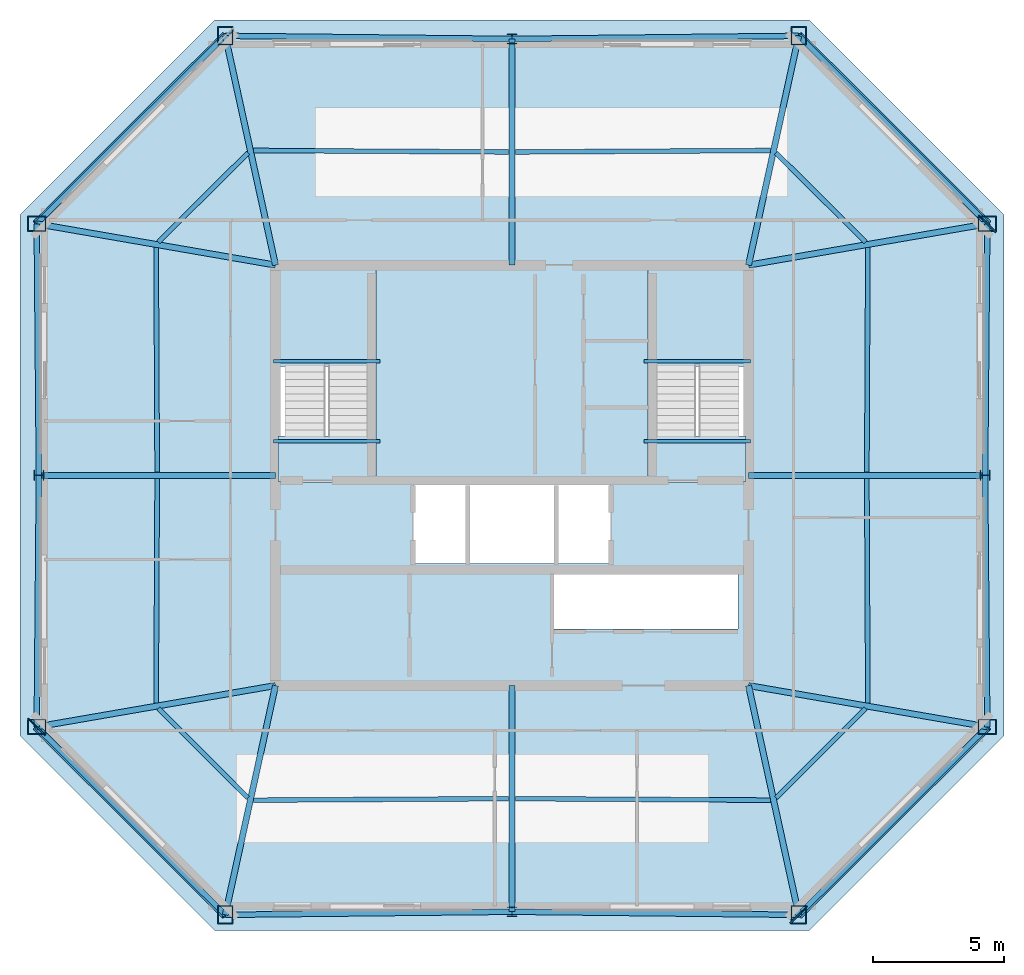
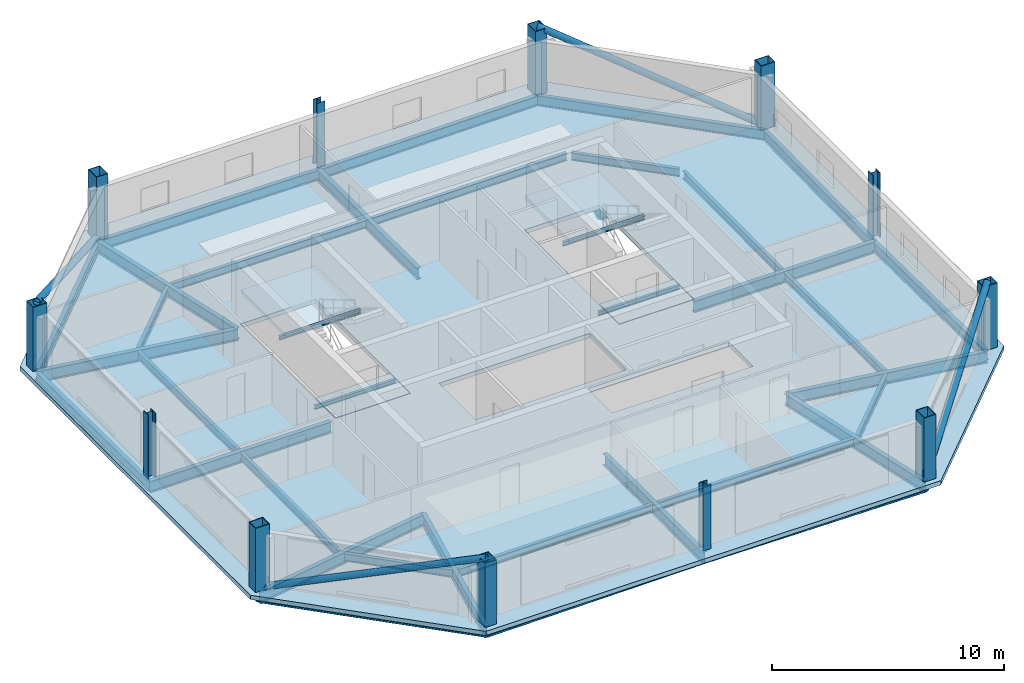
# One storey, part 1 of 6: 40 beams, 12 columns, 5 slabs, 4 members, 3 plates, 2 elements without a shape of their own.
"""IFC4 building model written with IfcOpenShell, lengths in metres."""

from ifc_helpers import new_model, si_unit, direction, frame, origin, origin_2d, place, context, subcontext, project, spatial, polyline, rectangle, hollow_rectangle, hollow_circle, i_section, outline, extrude, material, layer, layer_set, material_profile, profile_set, type_object, element, aggregate, save


model = new_model("IFC4")

# Units and contexts
model_context = context("Model", 3, precision=1e-05, world=origin(), true_north=direction((0.0, 1.0)))
body_context = subcontext(model_context, "Body", "Model", "MODEL_VIEW")
ifc_project = project(units=[si_unit("LENGTHUNIT", "METRE"), si_unit("AREAUNIT", "SQUARE_METRE"), si_unit("VOLUMEUNIT", "CUBIC_METRE"), si_unit("PLANEANGLEUNIT", "RADIAN"), si_unit("MASSUNIT", "GRAM", prefix="KILO")], contexts=[model_context])

# Site, building, storey
site_placement = place(None, origin())
site = spatial("IfcSite", under=ifc_project, at=site_placement, CompositionType="ELEMENT")
building_placement = place(site_placement, origin())
building = spatial("IfcBuilding", under=site, at=building_placement, Name="Caelvoria Tower", CompositionType="ELEMENT")
storey_placement = place(building_placement, frame((0.0, 0.0, 264.60009765625)))
storey = spatial("IfcBuildingStorey", under=building, at=storey_placement, Name="L70", CompositionType="ELEMENT", Elevation=264.60009765625)

# Columns
ifc_material_1 = material(Name="Structural Steel ASTM A572 Gr.50", Category="steel")
ifc_material_profile_1 = material_profile(ifc_material_1, hollow_rectangle(XDim=0.580078125, YDim=0.699951171875, WallThickness=0.031982421875, at=origin_2d()), Name="Structural Steel ASTM A572 Gr.50")
ifc_profile_set_1 = profile_set([ifc_material_profile_1], Name="BOX700X580X32 - Structural Steel ASTM A572 Gr.50")
column_type_1 = type_object("IfcColumnType", Name="Mega Box Column 700x580x32", PredefinedType="COLUMN", material=ifc_profile_set_1)
for number, where, z_axis, x_axis, name in (
    (1, (35.0888671875, 15.275634765625, 0.0), (0.0, 0.0, 1.0), (1.0, 0.0, 0.0), "Perimeter Megaframe Column L70-P00"),
    (2, (56.9111328125, 15.275634765625, 0.0), (0.0, 0.0, 1.0), (1.0, 0.0, 0.0), "Perimeter Megaframe Column L70-P02"),
    (3, (64.086181640625, 22.427734375, 0.0), (0.0, 0.0, 1.0), (0.0, 1.0, 0.0), "Perimeter Megaframe Column L70-P03"),
    (4, (64.086181640625, 41.572265625, 0.0), (0.0, 0.0, 1.0), (0.0, 1.0, 0.0), "Perimeter Megaframe Column L70-P05"),
    (5, (56.9111328125, 48.724365234375, 0.0), (0.0, 0.0, 1.0), (1.0, 0.0, 0.0), "Perimeter Megaframe Column L70-P06"),
    (6, (35.0888671875, 48.724365234375, 0.0), (0.0, 0.0, 1.0), (1.0, 0.0, 0.0), "Perimeter Megaframe Column L70-P08"),
    (7, (27.913818359375, 41.572265625, 0.0), (0.0, 0.0, 1.0), (0.0, 1.0, 0.0), "Perimeter Megaframe Column L70-P09"),
    (8, (27.913818359375, 22.427734375, 0.0), (0.0, 0.0, 1.0), (0.0, 1.0, 0.0), "Perimeter Megaframe Column L70-P11"),
):
    element("IfcColumn", number, at=place(storey_placement, frame(where, z_axis=z_axis, x_axis=x_axis)), inside=storey, type_object=column_type_1, Name=name, PredefinedType="COLUMN", context=body_context, shape_type="SweptSolid", body=[
        extrude(hollow_rectangle(XDim=0.580078125, YDim=0.699951171875, WallThickness=0.031982421875, at=origin_2d()), origin(), (0.0, 0.0, 1.0), 3.372802734375),
    ])
ifc_material_2 = material(Name="Structural Steel ASTM A992 Gr.50", Category="steel")
ifc_material_profile_2 = material_profile(ifc_material_2, i_section(OverallWidth=0.39501953125, OverallDepth=0.3798828125, WebThickness=0.018798828125, FlangeThickness=0.0302734375, FilletRadius=0.02490234375, at=origin_2d()), Name="Structural Steel ASTM A992 Gr.50")
ifc_profile_set_2 = profile_set([ifc_material_profile_2], Name="W360X237 - Structural Steel ASTM A992 Gr.50")
column_type_2 = type_object("IfcColumnType", Name="Summit Frame Column W360X237", PredefinedType="COLUMN", material=ifc_profile_set_2)
for number, where, z_axis, x_axis, name in (
    (9, (46.0, 15.392578125, 0.0), (0.0, 0.0, 1.0), (1.0, 0.0, 0.0), "Perimeter Megaframe Column L70-P01"),
    (10, (64.002685546875, 32.0, 0.0), (0.0, 0.0, 1.0), (0.0, 1.0, 0.0), "Perimeter Megaframe Column L70-P04"),
    (11, (46.0, 48.607421875, 0.0), (0.0, 0.0, 1.0), (1.0, 0.0, 0.0), "Perimeter Megaframe Column L70-P07"),
    (12, (27.997314453125, 32.0, 0.0), (0.0, 0.0, 1.0), (0.0, 1.0, 0.0), "Perimeter Megaframe Column L70-P10"),
):
    element("IfcColumn", number, at=place(storey_placement, frame(where, z_axis=z_axis, x_axis=x_axis)), inside=storey, type_object=column_type_2, Name=name, PredefinedType="COLUMN", context=body_context, shape_type="SweptSolid", body=[
        extrude(i_section(OverallWidth=0.39501953125, OverallDepth=0.3798828125, WebThickness=0.018798828125, FlangeThickness=0.0302734375, FilletRadius=0.02490234375, at=origin_2d()), origin(), (0.0, 0.0, 1.0), 3.372802734375),
    ])

# Beams
ifc_material_profile_3 = material_profile(ifc_material_2, i_section(OverallWidth=0.134033203125, OverallDepth=0.2099609375, WebThickness=0.00634765625, FlangeThickness=0.01025390625, FilletRadius=0.010009765625, at=origin_2d()), Name="Structural Steel ASTM A992 Gr.50")
ifc_profile_set_3 = profile_set([ifc_material_profile_3], Name="W200X31.3 - Structural Steel ASTM A992 Gr.50")
beam_type_1 = type_object("IfcBeamType", Name="Canopy Edge Trim Beam W200X31.3", PredefinedType="BEAM", material=ifc_profile_set_3)
for number, where, z_axis, x_axis, name in (
    (13, (36.929931640625, 36.35009765625, 1.494873046875), (1.0, 0.0, 0.0), (0.0, 1.0, 0.0), "ST-01 Half-Landing Support Beam L70"),
    (14, (36.929931640625, 33.300048828125, -0.30517578125), (1.0, 0.0, 0.0), (0.0, 1.0, 0.0), "ST-01 Floor-Landing Support Beam L70"),
    (15, (51.030029296875, 36.35009765625, 1.494873046875), (1.0, 0.0, 0.0), (0.0, 1.0, 0.0), "ST-02 Half-Landing Support Beam L70"),
    (16, (51.030029296875, 33.300048828125, -0.30517578125), (1.0, 0.0, 0.0), (0.0, 1.0, 0.0), "ST-02 Floor-Landing Support Beam L70"),
):
    element("IfcBeam", number, at=place(storey_placement, frame(where, z_axis=z_axis, x_axis=x_axis)), inside=storey, type_object=beam_type_1, Name=name, PredefinedType="BEAM", context=body_context, shape_type="SweptSolid", body=[
        extrude(i_section(OverallWidth=0.134033203125, OverallDepth=0.2099609375, WebThickness=0.00634765625, FlangeThickness=0.01025390625, FilletRadius=0.010009765625, at=origin_2d()), origin(), (0.0, 0.0, 1.0), 4.0400390625),
    ])
ifc_material_profile_4 = material_profile(ifc_material_2, i_section(OverallWidth=0.22802734375, OverallDepth=0.60302734375, WebThickness=0.010498046875, FlangeThickness=0.014892578125, FilletRadius=0.01806640625, at=origin_2d()), Name="Structural Steel ASTM A992 Gr.50")
ifc_profile_set_4 = profile_set([ifc_material_profile_4], Name="W610X101 - Structural Steel ASTM A992 Gr.50")
beam_type_2 = type_object("IfcBeamType", Name="Primary Floor Girder W610X101", PredefinedType="BEAM", material=ifc_profile_set_4)
beam_1_placement = place(storey_placement, frame((37.0, 24.0, -0.526611328125), z_axis=(-0.213983014438, -0.976837381314, 0.0), x_axis=(0.976837381314, -0.213983014438, 0.0)))
element("IfcBeam", 17, at=beam_1_placement, inside=storey, type_object=beam_type_2, Name="Primary Floor Girder L70-00", PredefinedType="BEAM", context=body_context, shape_type="SweptSolid", body=[
    extrude(i_section(OverallWidth=0.22802734375, OverallDepth=0.60302734375, WebThickness=0.010498046875, FlangeThickness=0.014892578125, FilletRadius=0.01806640625, at=origin_2d()), origin(), (0.0, 0.0, 1.0), 8.93115234375),
])
beam_2_placement = place(storey_placement, frame((46.0, 24.0, -0.526611328125), z_axis=(0.0, -1.0, 0.0), x_axis=(1.0, 0.0, 0.0)))
element("IfcBeam", 18, at=beam_2_placement, inside=storey, type_object=beam_type_2, Name="Primary Floor Girder L70-01", PredefinedType="BEAM", context=body_context, shape_type="SweptSolid", body=[
    extrude(i_section(OverallWidth=0.22802734375, OverallDepth=0.60302734375, WebThickness=0.010498046875, FlangeThickness=0.014892578125, FilletRadius=0.01806640625, at=origin_2d()), origin(), (0.0, 0.0, 1.0), 8.607421875),
])
beam_3_placement = place(storey_placement, frame((55.0, 24.0, -0.526611328125), z_axis=(0.213983014438, -0.976837381314, 0.0), x_axis=(0.976837381314, 0.213983014438, 0.0)))
element("IfcBeam", 19, at=beam_3_placement, inside=storey, type_object=beam_type_2, Name="Primary Floor Girder L70-02", PredefinedType="BEAM", context=body_context, shape_type="SweptSolid", body=[
    extrude(i_section(OverallWidth=0.22802734375, OverallDepth=0.60302734375, WebThickness=0.010498046875, FlangeThickness=0.014892578125, FilletRadius=0.01806640625, at=origin_2d()), origin(), (0.0, 0.0, 1.0), 8.93115234375),
])
beam_4_placement = place(storey_placement, frame((55.0, 24.0, -0.526611328125), z_axis=(0.985356751055, -0.170505346395, 0.0), x_axis=(0.170505346395, 0.985356751055, 0.0)))
element("IfcBeam", 20, at=beam_4_placement, inside=storey, type_object=beam_type_2, Name="Primary Floor Girder L70-03", PredefinedType="BEAM", context=body_context, shape_type="SweptSolid", body=[
    extrude(i_section(OverallWidth=0.22802734375, OverallDepth=0.60302734375, WebThickness=0.010498046875, FlangeThickness=0.014892578125, FilletRadius=0.01806640625, at=origin_2d()), origin(), (0.0, 0.0, 1.0), 9.22119140625),
])
beam_5_placement = place(storey_placement, frame((55.0, 32.0, -0.526611328125), z_axis=(1.0, 0.0, 0.0), x_axis=(0.0, 1.0, 0.0)))
element("IfcBeam", 21, at=beam_5_placement, inside=storey, type_object=beam_type_2, Name="Primary Floor Girder L70-04", PredefinedType="BEAM", context=body_context, shape_type="SweptSolid", body=[
    extrude(i_section(OverallWidth=0.22802734375, OverallDepth=0.60302734375, WebThickness=0.010498046875, FlangeThickness=0.014892578125, FilletRadius=0.01806640625, at=origin_2d()), origin(), (0.0, 0.0, 1.0), 9.002685546875),
])
beam_6_placement = place(storey_placement, frame((55.0, 40.0, -0.526611328125), z_axis=(0.985356751055, 0.170505346395, 0.0), x_axis=(-0.170505346395, 0.985356751055, 0.0)))
element("IfcBeam", 22, at=beam_6_placement, inside=storey, type_object=beam_type_2, Name="Primary Floor Girder L70-05", PredefinedType="BEAM", context=body_context, shape_type="SweptSolid", body=[
    extrude(i_section(OverallWidth=0.22802734375, OverallDepth=0.60302734375, WebThickness=0.010498046875, FlangeThickness=0.014892578125, FilletRadius=0.01806640625, at=origin_2d()), origin(), (0.0, 0.0, 1.0), 9.22119140625),
])
beam_7_placement = place(storey_placement, frame((55.0, 40.0, -0.526611328125), z_axis=(0.213983014438, 0.976837381314, 0.0), x_axis=(-0.976837381314, 0.213983014438, 0.0)))
element("IfcBeam", 23, at=beam_7_placement, inside=storey, type_object=beam_type_2, Name="Primary Floor Girder L70-06", PredefinedType="BEAM", context=body_context, shape_type="SweptSolid", body=[
    extrude(i_section(OverallWidth=0.22802734375, OverallDepth=0.60302734375, WebThickness=0.010498046875, FlangeThickness=0.014892578125, FilletRadius=0.01806640625, at=origin_2d()), origin(), (0.0, 0.0, 1.0), 8.93115234375),
])
beam_8_placement = place(storey_placement, frame((46.0, 40.0, -0.526611328125), z_axis=(0.0, 1.0, 0.0), x_axis=(-1.0, 0.0, 0.0)))
element("IfcBeam", 24, at=beam_8_placement, inside=storey, type_object=beam_type_2, Name="Primary Floor Girder L70-07", PredefinedType="BEAM", context=body_context, shape_type="SweptSolid", body=[
    extrude(i_section(OverallWidth=0.22802734375, OverallDepth=0.60302734375, WebThickness=0.010498046875, FlangeThickness=0.014892578125, FilletRadius=0.01806640625, at=origin_2d()), origin(), (0.0, 0.0, 1.0), 8.607421875),
])
beam_9_placement = place(storey_placement, frame((37.0, 40.0, -0.526611328125), z_axis=(-0.213983014438, 0.976837381314, 0.0), x_axis=(-0.976837381314, -0.213983014438, 0.0)))
element("IfcBeam", 25, at=beam_9_placement, inside=storey, type_object=beam_type_2, Name="Primary Floor Girder L70-08", PredefinedType="BEAM", context=body_context, shape_type="SweptSolid", body=[
    extrude(i_section(OverallWidth=0.22802734375, OverallDepth=0.60302734375, WebThickness=0.010498046875, FlangeThickness=0.014892578125, FilletRadius=0.01806640625, at=origin_2d()), origin(), (0.0, 0.0, 1.0), 8.93115234375),
])
beam_10_placement = place(storey_placement, frame((37.0, 40.0, -0.526611328125), z_axis=(-0.985356751055, 0.170505346395, 0.0), x_axis=(-0.170505346395, -0.985356751055, 0.0)))
element("IfcBeam", 26, at=beam_10_placement, inside=storey, type_object=beam_type_2, Name="Primary Floor Girder L70-09", PredefinedType="BEAM", context=body_context, shape_type="SweptSolid", body=[
    extrude(i_section(OverallWidth=0.22802734375, OverallDepth=0.60302734375, WebThickness=0.010498046875, FlangeThickness=0.014892578125, FilletRadius=0.01806640625, at=origin_2d()), origin(), (0.0, 0.0, 1.0), 9.22119140625),
])
beam_11_placement = place(storey_placement, frame((37.0, 32.0, -0.526611328125), z_axis=(-1.0, 0.0, 0.0), x_axis=(0.0, -1.0, 0.0)))
element("IfcBeam", 27, at=beam_11_placement, inside=storey, type_object=beam_type_2, Name="Primary Floor Girder L70-10", PredefinedType="BEAM", context=body_context, shape_type="SweptSolid", body=[
    extrude(i_section(OverallWidth=0.22802734375, OverallDepth=0.60302734375, WebThickness=0.010498046875, FlangeThickness=0.014892578125, FilletRadius=0.01806640625, at=origin_2d()), origin(), (0.0, 0.0, 1.0), 9.002685546875),
])
beam_12_placement = place(storey_placement, frame((37.0, 24.0, -0.526611328125), z_axis=(-0.985356751055, -0.170505346395, 0.0), x_axis=(0.170505346395, -0.985356751055, 0.0)))
element("IfcBeam", 28, at=beam_12_placement, inside=storey, type_object=beam_type_2, Name="Primary Floor Girder L70-11", PredefinedType="BEAM", context=body_context, shape_type="SweptSolid", body=[
    extrude(i_section(OverallWidth=0.22802734375, OverallDepth=0.60302734375, WebThickness=0.010498046875, FlangeThickness=0.014892578125, FilletRadius=0.01806640625, at=origin_2d()), origin(), (0.0, 0.0, 1.0), 9.22119140625),
])
ifc_material_profile_5 = material_profile(ifc_material_2, i_section(OverallWidth=0.177978515625, OverallDepth=0.406982421875, WebThickness=0.0078125, FlangeThickness=0.0126953125, FilletRadius=0.013916015625, at=origin_2d()), Name="Structural Steel ASTM A992 Gr.50")
ifc_profile_set_5 = profile_set([ifc_material_profile_5], Name="W410X60 - Structural Steel ASTM A992 Gr.50")
beam_type_3 = type_object("IfcBeamType", Name="Secondary Floor Beam W410X60", PredefinedType="BEAM", material=ifc_profile_set_5)
for number, where, z_axis, x_axis, name in (
    (29, (36.16943359375, 19.638671875, -0.4287109375), (0.999982824516, 0.005860944763, 0.0), (-0.005860944763, 0.999982824516, 0.0), "Secondary Floor Beam L70-00"),
    (30, (46.125, 19.695556640625, -0.4287109375), (0.999982824516, -0.005860944763, 0.0), (0.005860944763, 0.999982824516, 0.0), "Secondary Floor Beam L70-01"),
):
    element("IfcBeam", number, at=place(storey_placement, frame(where, z_axis=z_axis, x_axis=x_axis)), inside=storey, type_object=beam_type_3, Name=name, PredefinedType="BEAM", context=body_context, shape_type="SweptSolid", body=[
        extrude(i_section(OverallWidth=0.177978515625, OverallDepth=0.406982421875, WebThickness=0.0078125, FlangeThickness=0.0126953125, FilletRadius=0.013916015625, at=origin_2d()), origin(), (0.0, 0.0, 1.0), 9.705810546875),
    ])
beam_13_placement = place(storey_placement, frame((56.044189453125, 19.72607421875, -0.4287109375), z_axis=(0.70822129044, 0.705990512519, 0.0), x_axis=(-0.705990512519, 0.70822129044, 0.0)))
element("IfcBeam", 31, at=beam_13_placement, inside=storey, type_object=beam_type_3, Name="Secondary Floor Beam L70-02", PredefinedType="BEAM", context=body_context, shape_type="SweptSolid", body=[
    extrude(i_section(OverallWidth=0.177978515625, OverallDepth=0.406982421875, WebThickness=0.0078125, FlangeThickness=0.0126953125, FilletRadius=0.013916015625, at=origin_2d()), origin(), (0.0, 0.0, 1.0), 4.8154296875),
])
for number, where, z_axis, x_axis, name in (
    (32, (59.54248046875, 23.3388671875, -0.4287109375), (-0.004747687025, 0.99998872967, 0.0), (-0.99998872967, -0.004747687025, 0.0), "Secondary Floor Beam L70-03"),
    (33, (59.501953125, 32.125, -0.4287109375), (0.004747687025, 0.99998872967, 0.0), (-0.99998872967, 0.004747687025, 0.0), "Secondary Floor Beam L70-04"),
):
    element("IfcBeam", number, at=place(storey_placement, frame(where, z_axis=z_axis, x_axis=x_axis)), inside=storey, type_object=beam_type_3, Name=name, PredefinedType="BEAM", context=body_context, shape_type="SweptSolid", body=[
        extrude(i_section(OverallWidth=0.177978515625, OverallDepth=0.406982421875, WebThickness=0.0078125, FlangeThickness=0.0126953125, FilletRadius=0.013916015625, at=origin_2d()), origin(), (0.0, 0.0, 1.0), 8.5361328125),
    ])
beam_14_placement = place(storey_placement, frame((59.45458984375, 40.874267578125, -0.4287109375), z_axis=(-0.70822129044, 0.705990512519, 0.0), x_axis=(-0.705990512519, -0.70822129044, 0.0)))
element("IfcBeam", 34, at=beam_14_placement, inside=storey, type_object=beam_type_3, Name="Secondary Floor Beam L70-05", PredefinedType="BEAM", context=body_context, shape_type="SweptSolid", body=[
    extrude(i_section(OverallWidth=0.177978515625, OverallDepth=0.406982421875, WebThickness=0.0078125, FlangeThickness=0.0126953125, FilletRadius=0.013916015625, at=origin_2d()), origin(), (0.0, 0.0, 1.0), 4.8154296875),
])
for number, where, z_axis, x_axis, name in (
    (35, (55.83056640625, 44.361328125, -0.4287109375), (-0.999982824516, -0.005860944763, 0.0), (0.005860944763, -0.999982824516, 0.0), "Secondary Floor Beam L70-06"),
    (36, (45.875, 44.304443359375, -0.4287109375), (-0.999982824516, 0.005860944763, 0.0), (-0.005860944763, -0.999982824516, 0.0), "Secondary Floor Beam L70-07"),
):
    element("IfcBeam", number, at=place(storey_placement, frame(where, z_axis=z_axis, x_axis=x_axis)), inside=storey, type_object=beam_type_3, Name=name, PredefinedType="BEAM", context=body_context, shape_type="SweptSolid", body=[
        extrude(i_section(OverallWidth=0.177978515625, OverallDepth=0.406982421875, WebThickness=0.0078125, FlangeThickness=0.0126953125, FilletRadius=0.013916015625, at=origin_2d()), origin(), (0.0, 0.0, 1.0), 9.705810546875),
    ])
beam_15_placement = place(storey_placement, frame((35.955810546875, 44.27392578125, -0.4287109375), z_axis=(-0.70822129044, -0.705990512519, 0.0), x_axis=(0.705990512519, -0.70822129044, 0.0)))
element("IfcBeam", 37, at=beam_15_placement, inside=storey, type_object=beam_type_3, Name="Secondary Floor Beam L70-08", PredefinedType="BEAM", context=body_context, shape_type="SweptSolid", body=[
    extrude(i_section(OverallWidth=0.177978515625, OverallDepth=0.406982421875, WebThickness=0.0078125, FlangeThickness=0.0126953125, FilletRadius=0.013916015625, at=origin_2d()), origin(), (0.0, 0.0, 1.0), 4.8154296875),
])
for number, where, z_axis, x_axis, name in (
    (38, (32.45751953125, 40.6611328125, -0.4287109375), (0.004747687025, -0.99998872967, 0.0), (0.99998872967, 0.004747687025, 0.0), "Secondary Floor Beam L70-09"),
    (39, (32.498046875, 31.875, -0.4287109375), (-0.004747687025, -0.99998872967, 0.0), (0.99998872967, -0.004747687025, 0.0), "Secondary Floor Beam L70-10"),
):
    element("IfcBeam", number, at=place(storey_placement, frame(where, z_axis=z_axis, x_axis=x_axis)), inside=storey, type_object=beam_type_3, Name=name, PredefinedType="BEAM", context=body_context, shape_type="SweptSolid", body=[
        extrude(i_section(OverallWidth=0.177978515625, OverallDepth=0.406982421875, WebThickness=0.0078125, FlangeThickness=0.0126953125, FilletRadius=0.013916015625, at=origin_2d()), origin(), (0.0, 0.0, 1.0), 8.5361328125),
    ])
beam_16_placement = place(storey_placement, frame((32.54541015625, 23.125732421875, -0.4287109375), z_axis=(0.70822129044, -0.705990512519, 0.0), x_axis=(0.705990512519, 0.70822129044, 0.0)))
element("IfcBeam", 40, at=beam_16_placement, inside=storey, type_object=beam_type_3, Name="Secondary Floor Beam L70-11", PredefinedType="BEAM", context=body_context, shape_type="SweptSolid", body=[
    extrude(i_section(OverallWidth=0.177978515625, OverallDepth=0.406982421875, WebThickness=0.0078125, FlangeThickness=0.0126953125, FilletRadius=0.013916015625, at=origin_2d()), origin(), (0.0, 0.0, 1.0), 4.8154296875),
])

# Members
ifc_material_profile_6 = material_profile(ifc_material_1, hollow_circle(Radius=0.162109375, WallThickness=0.0126953125, at=origin_2d()), Name="Structural Steel ASTM A572 Gr.50")
ifc_profile_set_6 = profile_set([ifc_material_profile_6], Name="CHS324X12.7 - Structural Steel ASTM A572 Gr.50")
member_type = type_object("IfcMemberType", Name="Summit Perimeter Mega Brace CHS324X12.7", PredefinedType="BRACE", material=ifc_profile_set_6)
for number, where, z_axis, x_axis, name in (
    (41, (56.9111328125, 15.275634765625, 0.0), (0.671932753945, 0.669783593413, 0.316063778643), (-0.705973232241, 0.708238515868, 0.0), "Perimeter Chamfer Mega Brace L70 SE"),
    (42, (64.086181640625, 41.572265625, 0.0), (-0.671932753945, 0.669783593413, 0.316063778643), (-0.705973232241, -0.708238515868, 0.0), "Perimeter Chamfer Mega Brace L70 NE"),
    (43, (35.0888671875, 48.724365234375, 0.0), (-0.671932753945, -0.669783593413, 0.316063778643), (0.705973232241, -0.708238515868, 0.0), "Perimeter Chamfer Mega Brace L70 NW"),
    (44, (27.913818359375, 22.427734375, 0.0), (0.671932753945, -0.669783593413, 0.316063778643), (0.705973232241, 0.708238515868, 0.0), "Perimeter Chamfer Mega Brace L70 SW"),
):
    element("IfcMember", number, at=place(storey_placement, frame(where, z_axis=z_axis, x_axis=x_axis)), inside=storey, type_object=member_type, Name=name, PredefinedType="BRACE", context=body_context, shape_type="SweptSolid", body=[
        extrude(hollow_circle(Radius=0.162109375, WallThickness=0.0126953125, at=origin_2d()), origin(), (0.0, 0.0, 1.0), 10.67822265625),
    ])

# Beams
ifc_material_profile_7 = material_profile(ifc_material_2, i_section(OverallWidth=0.208984375, OverallDepth=0.532958984375, WebThickness=0.01025390625, FlangeThickness=0.015625, FilletRadius=0.01611328125, at=origin_2d()), Name="Structural Steel ASTM A992 Gr.50")
ifc_profile_set_7 = profile_set([ifc_material_profile_7], Name="W530X92 - Structural Steel ASTM A992 Gr.50")
beam_type_4 = type_object("IfcBeamType", Name="Upper Zone Spandrel W530X92", PredefinedType="BEAM", material=ifc_profile_set_7)
for number, where, z_axis, x_axis, name in (
    (45, (35.0888671875, 15.275634765625, -0.49169921875), (0.99994256931, 0.010717186313, 0.0), (-0.010717186313, 0.99994256931, 0.0), "Perimeter Spandrel Girder L70-00"),
    (46, (46.0, 15.392578125, -0.49169921875), (0.99994256931, -0.010717186313, 0.0), (0.010717186313, 0.99994256931, 0.0), "Perimeter Spandrel Girder L70-01"),
):
    element("IfcBeam", number, at=place(storey_placement, frame(where, z_axis=z_axis, x_axis=x_axis)), inside=storey, type_object=beam_type_4, Name=name, PredefinedType="BEAM", context=body_context, shape_type="SweptSolid", body=[
        extrude(i_section(OverallWidth=0.208984375, OverallDepth=0.532958984375, WebThickness=0.01025390625, FlangeThickness=0.015625, FilletRadius=0.01611328125, at=origin_2d()), origin(), (0.0, 0.0, 1.0), 10.911865234375),
    ])
beam_17_placement = place(storey_placement, frame((56.9111328125, 15.275634765625, -0.49169921875), z_axis=(0.708238515868, 0.705973232241, 0.0), x_axis=(-0.705973232241, 0.708238515868, 0.0)))
element("IfcBeam", 47, at=beam_17_placement, inside=storey, type_object=beam_type_4, Name="Perimeter Spandrel Girder L70-02", PredefinedType="BEAM", context=body_context, shape_type="SweptSolid", body=[
    extrude(i_section(OverallWidth=0.208984375, OverallDepth=0.532958984375, WebThickness=0.01025390625, FlangeThickness=0.015625, FilletRadius=0.01611328125, at=origin_2d()), origin(), (0.0, 0.0, 1.0), 10.130859375),
])
for number, where, z_axis, x_axis, name in (
    (48, (64.086181640625, 22.427734375, -0.49169921875), (-0.008722377833, 0.999961959339, 0.0), (-0.999961959339, -0.008722377833, 0.0), "Perimeter Spandrel Girder L70-03"),
    (49, (64.002685546875, 32.0, -0.49169921875), (0.008722377833, 0.999961959339, 0.0), (-0.999961959339, 0.008722377833, 0.0), "Perimeter Spandrel Girder L70-04"),
):
    element("IfcBeam", number, at=place(storey_placement, frame(where, z_axis=z_axis, x_axis=x_axis)), inside=storey, type_object=beam_type_4, Name=name, PredefinedType="BEAM", context=body_context, shape_type="SweptSolid", body=[
        extrude(i_section(OverallWidth=0.208984375, OverallDepth=0.532958984375, WebThickness=0.01025390625, FlangeThickness=0.015625, FilletRadius=0.01611328125, at=origin_2d()), origin(), (0.0, 0.0, 1.0), 9.572509765625),
    ])
beam_18_placement = place(storey_placement, frame((64.086181640625, 41.572265625, -0.49169921875), z_axis=(-0.708238515868, 0.705973232241, 0.0), x_axis=(-0.705973232241, -0.708238515868, 0.0)))
element("IfcBeam", 50, at=beam_18_placement, inside=storey, type_object=beam_type_4, Name="Perimeter Spandrel Girder L70-05", PredefinedType="BEAM", context=body_context, shape_type="SweptSolid", body=[
    extrude(i_section(OverallWidth=0.208984375, OverallDepth=0.532958984375, WebThickness=0.01025390625, FlangeThickness=0.015625, FilletRadius=0.01611328125, at=origin_2d()), origin(), (0.0, 0.0, 1.0), 10.130859375),
])
for number, where, z_axis, x_axis, name in (
    (51, (56.9111328125, 48.724365234375, -0.49169921875), (-0.99994256931, -0.010717186313, 0.0), (0.010717186313, -0.99994256931, 0.0), "Perimeter Spandrel Girder L70-06"),
    (52, (46.0, 48.607421875, -0.49169921875), (-0.99994256931, 0.010717186313, 0.0), (-0.010717186313, -0.99994256931, 0.0), "Perimeter Spandrel Girder L70-07"),
):
    element("IfcBeam", number, at=place(storey_placement, frame(where, z_axis=z_axis, x_axis=x_axis)), inside=storey, type_object=beam_type_4, Name=name, PredefinedType="BEAM", context=body_context, shape_type="SweptSolid", body=[
        extrude(i_section(OverallWidth=0.208984375, OverallDepth=0.532958984375, WebThickness=0.01025390625, FlangeThickness=0.015625, FilletRadius=0.01611328125, at=origin_2d()), origin(), (0.0, 0.0, 1.0), 10.911865234375),
    ])
beam_19_placement = place(storey_placement, frame((35.0888671875, 48.724365234375, -0.49169921875), z_axis=(-0.708238515868, -0.705973232241, 0.0), x_axis=(0.705973232241, -0.708238515868, 0.0)))
element("IfcBeam", 53, at=beam_19_placement, inside=storey, type_object=beam_type_4, Name="Perimeter Spandrel Girder L70-08", PredefinedType="BEAM", context=body_context, shape_type="SweptSolid", body=[
    extrude(i_section(OverallWidth=0.208984375, OverallDepth=0.532958984375, WebThickness=0.01025390625, FlangeThickness=0.015625, FilletRadius=0.01611328125, at=origin_2d()), origin(), (0.0, 0.0, 1.0), 10.130859375),
])
for number, where, z_axis, x_axis, name in (
    (54, (27.913818359375, 41.572265625, -0.49169921875), (0.008722377833, -0.999961959339, 0.0), (0.999961959339, 0.008722377833, 0.0), "Perimeter Spandrel Girder L70-09"),
    (55, (27.997314453125, 32.0, -0.49169921875), (-0.008722377833, -0.999961959339, 0.0), (0.999961959339, -0.008722377833, 0.0), "Perimeter Spandrel Girder L70-10"),
):
    element("IfcBeam", number, at=place(storey_placement, frame(where, z_axis=z_axis, x_axis=x_axis)), inside=storey, type_object=beam_type_4, Name=name, PredefinedType="BEAM", context=body_context, shape_type="SweptSolid", body=[
        extrude(i_section(OverallWidth=0.208984375, OverallDepth=0.532958984375, WebThickness=0.01025390625, FlangeThickness=0.015625, FilletRadius=0.01611328125, at=origin_2d()), origin(), (0.0, 0.0, 1.0), 9.572509765625),
    ])
beam_20_placement = place(storey_placement, frame((27.913818359375, 22.427734375, -0.49169921875), z_axis=(0.708238515868, -0.705973232241, 0.0), x_axis=(0.705973232241, 0.708238515868, 0.0)))
element("IfcBeam", 56, at=beam_20_placement, inside=storey, type_object=beam_type_4, Name="Perimeter Spandrel Girder L70-11", PredefinedType="BEAM", context=body_context, shape_type="SweptSolid", body=[
    extrude(i_section(OverallWidth=0.208984375, OverallDepth=0.532958984375, WebThickness=0.01025390625, FlangeThickness=0.015625, FilletRadius=0.01611328125, at=origin_2d()), origin(), (0.0, 0.0, 1.0), 10.130859375),
])

# Plates
ifc_layer_1 = layer(ifc_material_1, 0.0400390625, Name="Structural Steel ASTM A572 Gr.50")
ifc_layer_set_1 = layer_set([ifc_layer_1], Name="Megaframe Node Gusset Plate 900x600x40 - Structural Steel ASTM A572 Gr.50")
plate_type = type_object("IfcPlateType", Name="Megaframe Node Gusset Plate 900x600x40", PredefinedType="USERDEFINED", material=ifc_layer_set_1)
for number, where, z_axis, x_axis, name in (
    (57, (56.9111328125, 15.275634765625, 0.019775390625), (0.0, 0.0, 1.0), (0.708251129694, 0.705960577714, 0.0), "Chamfer Mega Brace Gusset L70 SE"),
    (58, (64.086181640625, 41.572265625, 0.019775390625), (0.0, 0.0, 1.0), (-0.708251129694, 0.705960577714, 0.0), "Chamfer Mega Brace Gusset L70 NE"),
    (59, (27.913818359375, 22.427734375, 0.019775390625), (0.0, 0.0, 1.0), (0.708251129694, -0.705960577714, 0.0), "Chamfer Mega Brace Gusset L70 SW"),
):
    element("IfcPlate", number, at=place(storey_placement, frame(where, z_axis=z_axis, x_axis=x_axis)), inside=storey, type_object=plate_type, Name=name, ObjectType="GUSSET_PLATE", PredefinedType="USERDEFINED", context=body_context, shape_type="SweptSolid", body=[
        extrude(rectangle(XDim=0.89990234375, YDim=0.0400390625, at=origin_2d()), origin(), (0.0, 0.0, 1.0), 0.60009765625),
    ])

# Stair, slabs
ifc_material_3 = material(Name="Concrete C40/50", Category="concrete")
stair_type = type_object("IfcStairType", Name="Core Smokeproof Dogleg Stair Concrete C40/50", PredefinedType="HALF_TURN_STAIR", material=ifc_material_3)
stair_1_placement = place(storey_placement, origin())
stair_1 = element("IfcStair", 60, at=stair_1_placement, inside=storey, type_object=stair_type, Name="ST-01 Smokeproof Exit Stair L70", PredefinedType="HALF_TURN_STAIR")
ifc_layer_2 = layer(ifc_material_3, 0.199951171875, Name="Concrete C40/50")
ifc_layer_set_2 = layer_set([ifc_layer_2], Name="Stair Half and Floor Landing Slab 200 Concrete C40/50 - Concrete C40/50")
slab_type_1 = type_object("IfcSlabType", Name="Stair Half and Floor Landing Slab 200 Concrete C40/50", PredefinedType="LANDING", material=ifc_layer_set_2)
slab_1_placement = place(storey_placement, frame((0.0, 0.0, -0.2001953125)))
slab_1 = element("IfcSlab", 61, at=slab_1_placement, type_object=slab_type_1, Name="ST-01 landing 1", PredefinedType="LANDING", context=body_context, shape_type="SweptSolid", body=[
    extrude(outline(polyline([(37.10009765625, 31.77001953125), (40.800048828125, 31.77001953125), (40.800048828125, 33.5), (37.10009765625, 33.5), (37.10009765625, 31.77001953125)])), origin(), (0.0, 0.0, 1.0), 0.2001953125),
])
slab_2_placement = place(storey_placement, frame((0.0, 0.0, 1.599853515625)))
slab_2 = element("IfcSlab", 62, at=slab_2_placement, type_object=slab_type_1, Name="ST-01 landing 2", PredefinedType="LANDING", context=body_context, shape_type="SweptSolid", body=[
    extrude(outline(polyline([(37.10009765625, 36.14990234375), (40.800048828125, 36.14990234375), (40.800048828125, 39.89990234375), (37.10009765625, 39.89990234375), (37.10009765625, 36.14990234375)])), origin(), (0.0, 0.0, 1.0), 0.199951171875),
])
aggregate(stair_1, [slab_1, slab_2])

stair_2_placement = place(storey_placement, origin())
stair_2 = element("IfcStair", 63, at=stair_2_placement, inside=storey, type_object=stair_type, Name="ST-02 Smokeproof Exit Stair L70", PredefinedType="HALF_TURN_STAIR")
slab_3_placement = place(storey_placement, frame((0.0, 0.0, -0.2001953125)))
slab_3 = element("IfcSlab", 64, at=slab_3_placement, type_object=slab_type_1, Name="ST-02 landing 1", PredefinedType="LANDING", context=body_context, shape_type="SweptSolid", body=[
    extrude(outline(polyline([(51.199951171875, 31.77001953125), (54.89990234375, 31.77001953125), (54.89990234375, 33.5), (51.199951171875, 33.5), (51.199951171875, 31.77001953125)])), origin(), (0.0, 0.0, 1.0), 0.2001953125),
])
slab_4_placement = place(storey_placement, frame((0.0, 0.0, 1.599853515625)))
slab_4 = element("IfcSlab", 65, at=slab_4_placement, type_object=slab_type_1, Name="ST-02 landing 2", PredefinedType="LANDING", context=body_context, shape_type="SweptSolid", body=[
    extrude(outline(polyline([(51.199951171875, 36.14990234375), (54.89990234375, 36.14990234375), (54.89990234375, 39.89990234375), (51.199951171875, 39.89990234375), (51.199951171875, 36.14990234375)])), origin(), (0.0, 0.0, 1.0), 0.199951171875),
])
aggregate(stair_2, [slab_3, slab_4])

# Slab
ifc_layer_3 = layer(ifc_material_3, 0.22509765625, Name="Concrete C40/50")
ifc_layer_set_3 = layer_set([ifc_layer_3], Name="Upper Tower Composite Office Slab 225 - Concrete C40/50")
slab_type_2 = type_object("IfcSlabType", Name="Upper Tower Composite Office Slab 225", PredefinedType="FLOOR", material=ifc_layer_set_3)
slab_5_placement = place(storey_placement, frame((0.0, 0.0, -0.22509765625)))
element("IfcSlab", 66, at=slab_5_placement, inside=storey, type_object=slab_type_2, Name="Level L70 Structural Floor Slab", PredefinedType="FLOOR", context=body_context, shape_type="SweptSolid", body=[
    extrude(outline(polyline([(34.695556640625, 14.672607421875), (57.304443359375, 14.672607421875), (64.72265625, 22.0908203125), (64.72265625, 41.9091796875), (57.304443359375, 49.327392578125), (34.695556640625, 49.327392578125), (27.27734375, 41.9091796875), (27.27734375, 22.0908203125), (34.695556640625, 14.672607421875)]), holes=[polyline([(37.080078125, 31.75), (40.820068359375, 31.75), (40.820068359375, 39.919921875), (37.080078125, 39.919921875), (37.080078125, 31.75)]), polyline([(51.179931640625, 31.75), (54.919921875, 31.75), (54.919921875, 39.919921875), (51.179931640625, 39.919921875), (51.179931640625, 31.75)]), polyline([(42.25, 28.64990234375), (49.75, 28.64990234375), (49.75, 31.800048828125), (42.25, 31.800048828125), (42.25, 28.64990234375)]), polyline([(47.60009765625, 26.14990234375), (54.60009765625, 26.14990234375), (54.60009765625, 28.25), (47.60009765625, 28.25), (47.60009765625, 26.14990234375)])]), origin(), (0.0, 0.0, 1.0), 0.22509765625),
])

save(model, "model.ifc")
